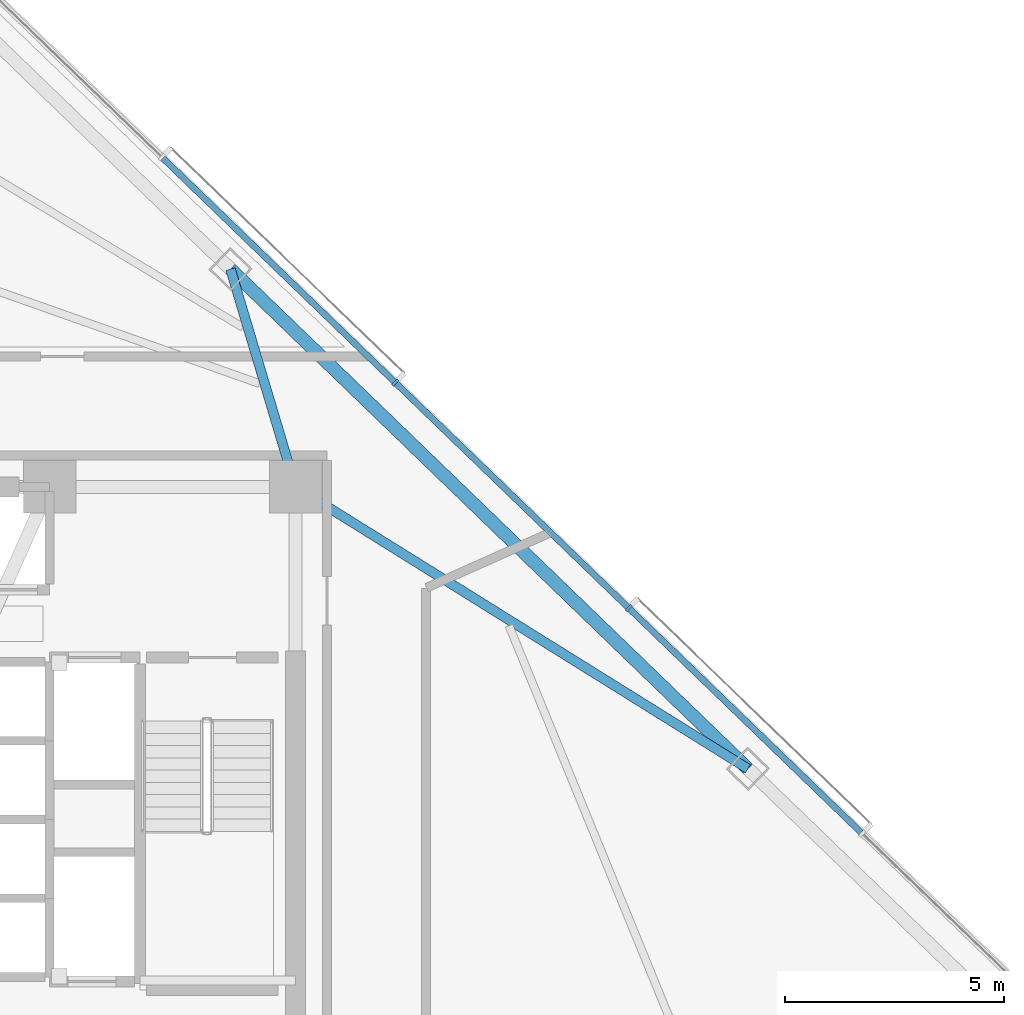
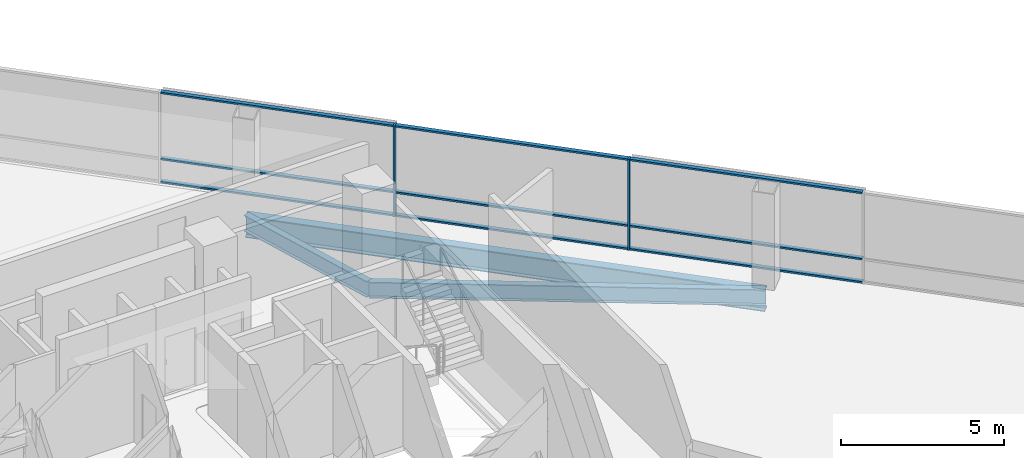
# One storey, part 7 of 18: 11 members, 3 beams, 1 element without a shape of its own.
"""IFC4 building model written with IfcOpenShell, lengths in metres."""

from ifc_helpers import new_model, si_unit, direction, frame, origin, origin_2d, place, context, subcontext, project, spatial, rectangle, i_section, extrude, material, layer, layer_set, material_profile, profile_set, type_object, element, aggregate, save


model = new_model("IFC4")

# Units and contexts
model_context = context("Model", 3, precision=1e-05, world=origin(), true_north=direction((0.0, 1.0)))
body_context = subcontext(model_context, "Body", "Model", "MODEL_VIEW")
ifc_project = project(units=[si_unit("LENGTHUNIT", "METRE"), si_unit("AREAUNIT", "SQUARE_METRE"), si_unit("VOLUMEUNIT", "CUBIC_METRE"), si_unit("PLANEANGLEUNIT", "RADIAN"), si_unit("MASSUNIT", "GRAM", prefix="KILO")], contexts=[model_context])

# Site, building, storey
site_placement = place(None, origin())
site = spatial("IfcSite", under=ifc_project, at=site_placement, CompositionType="ELEMENT")
building_placement = place(site_placement, origin())
building = spatial("IfcBuilding", under=site, at=building_placement, Name="Tharavind Bronze Gate", CompositionType="ELEMENT")
storey_placement = place(building_placement, frame((0.0, 0.0, 100.5)))
storey = spatial("IfcBuildingStorey", under=building, at=storey_placement, Name="L25", CompositionType="ELEMENT", Elevation=100.5)

# Curtain wall, members
ifc_material_1 = material(Name="Anodised Bronze Aluminium", Category="aluminium")
ifc_layer = layer(ifc_material_1, 0.219970703125)
ifc_layer_set = layer_set([ifc_layer], Name="Anodised Bronze Aluminium")
curtain_wall_type = type_object("IfcCurtainWallType", Name="UNITISED CURTAIN WALL LOWER OFFICE", PredefinedType="USERDEFINED", material=ifc_layer_set)
curtain_wall_placement = place(storey_placement, origin())
curtain_wall = element("IfcCurtainWall", 1, at=curtain_wall_placement, inside=storey, type_object=curtain_wall_type, Name="L25 unitised curtain wall lower office CW-L25-S3", ObjectType="UNITISED CURTAIN WALL", PredefinedType="USERDEFINED")
member_type_1 = type_object("IfcMemberType", Name="CURTAIN WALL BRONZE MULLION 65X180", PredefinedType="MULLION", material=ifc_material_1)
member_1_placement = place(storey_placement, frame((16.512939453125, 4.83251953125, 0.0), z_axis=(0.0, 0.0, 1.0), x_axis=(-0.719341012745, 0.694657114973, 0.0)))
member_1 = element("IfcMember", 2, at=member_1_placement, type_object=member_type_1, Name="CW-L25-S3 mullion 4", PredefinedType="MULLION", context=body_context, shape_type="SweptSolid", body=[
    extrude(rectangle(XDim=0.06494140625, YDim=0.179931640625, at=origin_2d()), origin(), (0.0, 0.0, 1.0), 3.409912109375),
])
member_2_placement = place(storey_placement, frame((11.1796875, 9.98291015625, 0.0), z_axis=(0.0, 0.0, 1.0), x_axis=(-0.719341012745, 0.694657114973, 0.0)))
member_2 = element("IfcMember", 3, at=member_2_placement, type_object=member_type_1, Name="CW-L25-S3 mullion 5", PredefinedType="MULLION", context=body_context, shape_type="SweptSolid", body=[
    extrude(rectangle(XDim=0.06494140625, YDim=0.179931640625, at=origin_2d()), origin(), (0.0, 0.0, 1.0), 3.409912109375),
])
member_type_2 = type_object("IfcMemberType", Name="CURTAIN WALL BRONZE TRANSOM 65X140", PredefinedType="USERDEFINED", material=ifc_material_1)
member_3_placement = place(storey_placement, frame((19.1796875, 2.25732421875, 0.0), z_axis=(0.0, 0.0, 1.0), x_axis=(-0.719341012745, 0.694657114973, 0.0)))
member_3 = element("IfcMember", 4, at=member_3_placement, type_object=member_type_2, Name="CW-L25-S3 transom TB3", ObjectType="TRANSOM", PredefinedType="USERDEFINED", context=body_context, shape_type="SweptSolid", body=[
    extrude(rectangle(XDim=7.361083984375, YDim=0.139892578125, at=origin_2d()), origin(), (0.0, 0.0, 1.0), 0.06494140625),
])
member_4_placement = place(storey_placement, frame((19.1796875, 2.25732421875, 0.867431640625), z_axis=(0.0, 0.0, 1.0), x_axis=(-0.719341012745, 0.694657114973, 0.0)))
member_4 = element("IfcMember", 5, at=member_4_placement, type_object=member_type_2, Name="CW-L25-S3 transom TS3", ObjectType="TRANSOM", PredefinedType="USERDEFINED", context=body_context, shape_type="SweptSolid", body=[
    extrude(rectangle(XDim=7.361083984375, YDim=0.139892578125, at=origin_2d()), origin(), (0.0, 0.0, 1.0), 0.06494140625),
])
member_5_placement = place(storey_placement, frame((19.1796875, 2.25732421875, 3.344970703125), z_axis=(0.0, 0.0, 1.0), x_axis=(-0.719341012745, 0.694657114973, 0.0)))
member_5 = element("IfcMember", 6, at=member_5_placement, type_object=member_type_2, Name="CW-L25-S3 transom TT3", ObjectType="TRANSOM", PredefinedType="USERDEFINED", context=body_context, shape_type="SweptSolid", body=[
    extrude(rectangle(XDim=7.361083984375, YDim=0.139892578125, at=origin_2d()), origin(), (0.0, 0.0, 1.0), 0.06494140625),
])
member_6_placement = place(storey_placement, frame((13.84619140625, 7.40771484375, 0.0), z_axis=(0.0, 0.0, 1.0), x_axis=(-0.719341012745, 0.694657114973, 0.0)))
member_6 = element("IfcMember", 7, at=member_6_placement, type_object=member_type_2, Name="CW-L25-S3 transom TB4", ObjectType="TRANSOM", PredefinedType="USERDEFINED", context=body_context, shape_type="SweptSolid", body=[
    extrude(rectangle(XDim=7.361083984375, YDim=0.139892578125, at=origin_2d()), origin(), (0.0, 0.0, 1.0), 0.06494140625),
])
member_7_placement = place(storey_placement, frame((13.84619140625, 7.40771484375, 0.867431640625), z_axis=(0.0, 0.0, 1.0), x_axis=(-0.719341012745, 0.694657114973, 0.0)))
member_7 = element("IfcMember", 8, at=member_7_placement, type_object=member_type_2, Name="CW-L25-S3 transom TS4", ObjectType="TRANSOM", PredefinedType="USERDEFINED", context=body_context, shape_type="SweptSolid", body=[
    extrude(rectangle(XDim=7.361083984375, YDim=0.139892578125, at=origin_2d()), origin(), (0.0, 0.0, 1.0), 0.06494140625),
])
member_8_placement = place(storey_placement, frame((13.84619140625, 7.40771484375, 3.344970703125), z_axis=(0.0, 0.0, 1.0), x_axis=(-0.719341012745, 0.694657114973, 0.0)))
member_8 = element("IfcMember", 9, at=member_8_placement, type_object=member_type_2, Name="CW-L25-S3 transom TT4", ObjectType="TRANSOM", PredefinedType="USERDEFINED", context=body_context, shape_type="SweptSolid", body=[
    extrude(rectangle(XDim=7.361083984375, YDim=0.139892578125, at=origin_2d()), origin(), (0.0, 0.0, 1.0), 0.06494140625),
])
member_9_placement = place(storey_placement, frame((8.512939453125, 12.55810546875, 0.0), z_axis=(0.0, 0.0, 1.0), x_axis=(-0.719341012745, 0.694657114973, 0.0)))
member_9 = element("IfcMember", 10, at=member_9_placement, type_object=member_type_2, Name="CW-L25-S3 transom TB5", ObjectType="TRANSOM", PredefinedType="USERDEFINED", context=body_context, shape_type="SweptSolid", body=[
    extrude(rectangle(XDim=7.361083984375, YDim=0.139892578125, at=origin_2d()), origin(), (0.0, 0.0, 1.0), 0.06494140625),
])
member_10_placement = place(storey_placement, frame((8.512939453125, 12.55810546875, 0.867431640625), z_axis=(0.0, 0.0, 1.0), x_axis=(-0.719341012745, 0.694657114973, 0.0)))
member_10 = element("IfcMember", 11, at=member_10_placement, type_object=member_type_2, Name="CW-L25-S3 transom TS5", ObjectType="TRANSOM", PredefinedType="USERDEFINED", context=body_context, shape_type="SweptSolid", body=[
    extrude(rectangle(XDim=7.361083984375, YDim=0.139892578125, at=origin_2d()), origin(), (0.0, 0.0, 1.0), 0.06494140625),
])
member_11_placement = place(storey_placement, frame((8.512939453125, 12.55810546875, 3.344970703125), z_axis=(0.0, 0.0, 1.0), x_axis=(-0.719341012745, 0.694657114973, 0.0)))
member_11 = element("IfcMember", 12, at=member_11_placement, type_object=member_type_2, Name="CW-L25-S3 transom TT5", ObjectType="TRANSOM", PredefinedType="USERDEFINED", context=body_context, shape_type="SweptSolid", body=[
    extrude(rectangle(XDim=7.361083984375, YDim=0.139892578125, at=origin_2d()), origin(), (0.0, 0.0, 1.0), 0.06494140625),
])
aggregate(curtain_wall, [member_1, member_2, member_3, member_4, member_5, member_6, member_7, member_8, member_9, member_10, member_11])

# Beams
ifc_material_2 = material(Name="Steel S355", Category="steel")
ifc_material_profile_1 = material_profile(ifc_material_2, i_section(OverallWidth=0.219970703125, OverallDepth=0.60009765625, WebThickness=0.011962890625, FlangeThickness=0.01904296875, at=origin_2d()), Name="IPE600")
ifc_profile_set_1 = profile_set([ifc_material_profile_1], Name="Steel S355")
beam_type_1 = type_object("IfcBeamType", Name="PRIMARY GIRDER IPE600", PredefinedType="USERDEFINED", material=ifc_profile_set_1)
beam_1_placement = place(storey_placement, frame((19.236083984375, 1.160400390625, -0.489990234375), z_axis=(-0.848750917637, 0.528792851513, 0.0), x_axis=(-0.528792851513, -0.848750917637, 0.0)))
element("IfcBeam", 13, at=beam_1_placement, inside=storey, type_object=beam_type_1, Name="L25 primary girder ipe600 BM-L25-RAD10", ObjectType="GIRDER", PredefinedType="USERDEFINED", context=body_context, shape_type="SweptSolid", body=[
    extrude(i_section(OverallWidth=0.219970703125, OverallDepth=0.60009765625, WebThickness=0.011962890625, FlangeThickness=0.01904296875, at=origin_2d()), origin(), (0.0, 0.0, 1.0), 12.17822265625),
])
beam_2_placement = place(storey_placement, frame((7.41455078125, 12.576171875, -0.489990234375), z_axis=(0.286027795034, -0.958221321234, 0.0), x_axis=(0.958221321234, 0.286027795034, 0.0)))
element("IfcBeam", 14, at=beam_2_placement, inside=storey, type_object=beam_type_1, Name="L25 primary girder ipe600 BM-L25-RAD11", ObjectType="GIRDER", PredefinedType="USERDEFINED", context=body_context, shape_type="SweptSolid", body=[
    extrude(i_section(OverallWidth=0.219970703125, OverallDepth=0.60009765625, WebThickness=0.011962890625, FlangeThickness=0.01904296875, at=origin_2d()), origin(), (0.0, 0.0, 1.0), 5.193115234375),
])
ifc_material_profile_2 = material_profile(ifc_material_2, i_section(OverallWidth=0.300048828125, OverallDepth=0.800048828125, WebThickness=0.017578125, FlangeThickness=0.032958984375, at=origin_2d()), Name="HE800B")
ifc_profile_set_2 = profile_set([ifc_material_profile_2], Name="Steel S355")
beam_type_2 = type_object("IfcBeamType", Name="RING GIRDER HE800B", PredefinedType="USERDEFINED", material=ifc_profile_set_2)
beam_3_placement = place(storey_placement, frame((19.236083984375, 1.160400390625, -0.590087890625), z_axis=(-0.719344374421, 0.694653633827, 0.0), x_axis=(-0.694653633827, -0.719344374421, 0.0)))
element("IfcBeam", 15, at=beam_3_placement, inside=storey, type_object=beam_type_2, Name="L25 ring girder he800b BM-L25-PRG10", ObjectType="GIRDER", PredefinedType="USERDEFINED", context=body_context, shape_type="SweptSolid", body=[
    extrude(i_section(OverallWidth=0.300048828125, OverallDepth=0.800048828125, WebThickness=0.017578125, FlangeThickness=0.032958984375, at=origin_2d()), origin(), (0.0, 0.0, 1.0), 16.433837890625),
])

save(model, "model.ifc")
